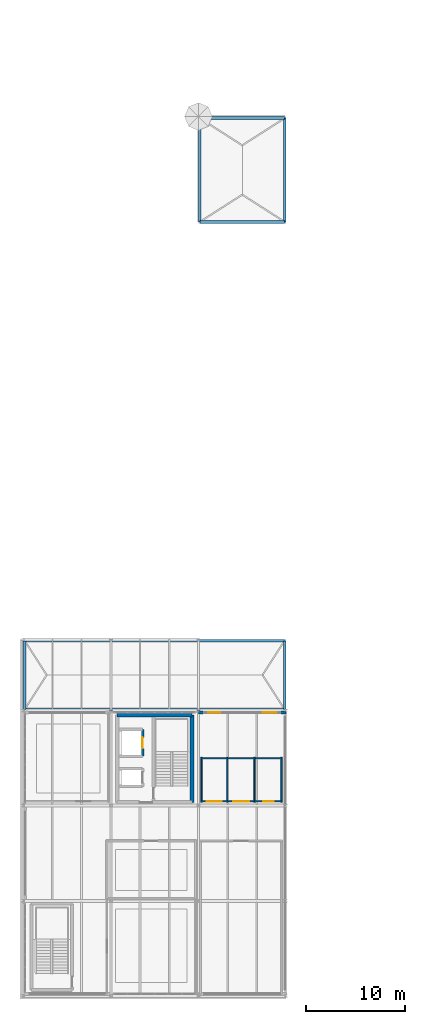
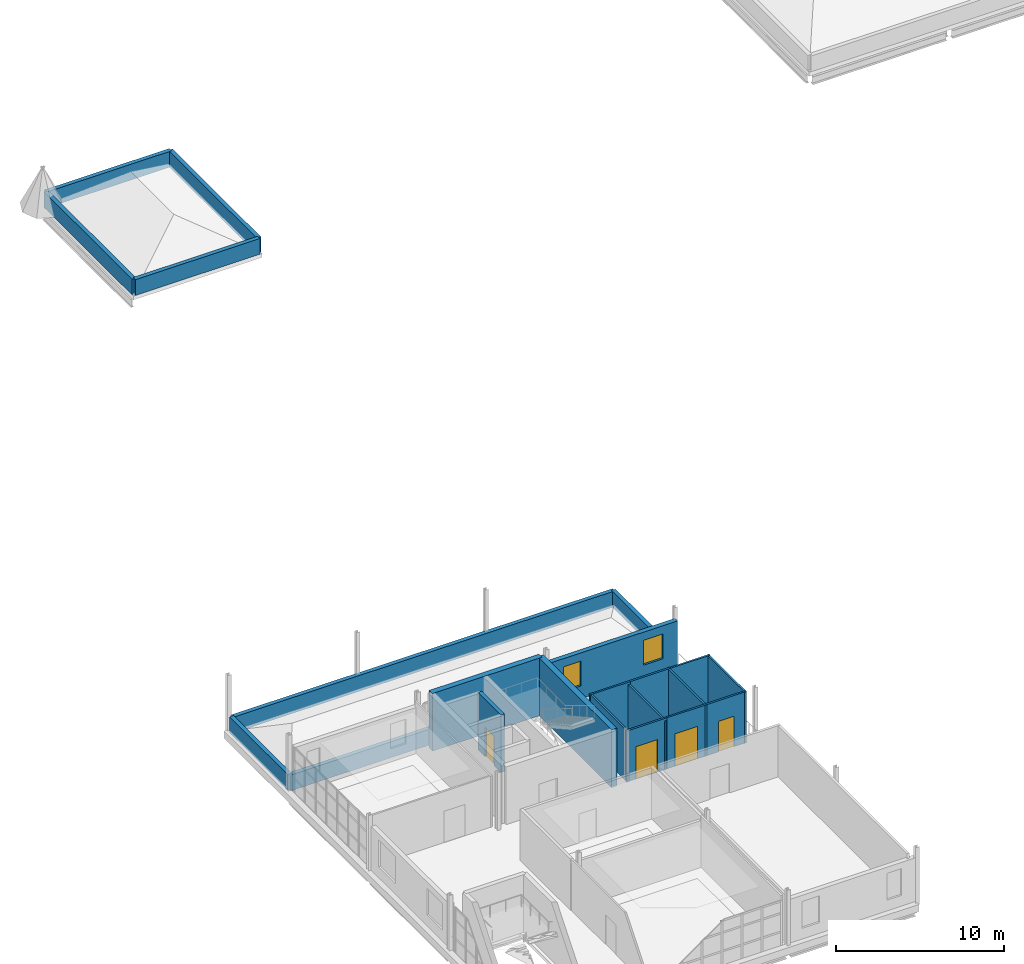
# One storey, part 22 of 28: 22 walls, 4 doors, 2 windows, 6 openings.
"""IFC4 building model written with IfcOpenShell, lengths in metres."""

from ifc_helpers import new_model, si_unit, direction, frame, frame_2d, origin, place, context, subcontext, project, spatial, rectangle, extrude, material, layer, layer_set, type_object, element, fill, save


model = new_model("IFC4")

# Units and contexts
model_context = context("Model", 3, precision=1e-05, world=origin(), true_north=direction((0.0, 1.0)))
body_context = subcontext(model_context, "Body", "Model", "MODEL_VIEW")
ifc_project = project(units=[si_unit("LENGTHUNIT", "METRE"), si_unit("AREAUNIT", "SQUARE_METRE"), si_unit("VOLUMEUNIT", "CUBIC_METRE"), si_unit("PLANEANGLEUNIT", "RADIAN"), si_unit("MASSUNIT", "GRAM", prefix="KILO")], contexts=[model_context])

# Site, building, storey
site_placement = place(None, origin())
site = spatial("IfcSite", under=ifc_project, at=site_placement, CompositionType="ELEMENT")
building_placement = place(site_placement, origin())
building = spatial("IfcBuilding", under=site, at=building_placement, Name="Yeouljin Market Hall", CompositionType="ELEMENT")
storey_placement = place(building_placement, frame((0.0, 0.0, 15.0)))
storey = spatial("IfcBuildingStorey", under=building, at=storey_placement, Name="L03", CompositionType="ELEMENT", Elevation=15.0)

# Wall, opening, door
ifc_material_1 = material(Name="Moisture-Resistant Gypsum Partition")
ifc_layer_1 = layer(ifc_material_1, 0.1298828125)
ifc_layer_set_1 = layer_set([ifc_layer_1], Name="Moisture-Resistant Gypsum Partition")
wall_type_1 = type_object("IfcWallType", Name="Part_Sanitary_130", PredefinedType="PARTITIONING", material=ifc_layer_set_1)
wall_1_placement = place(storey_placement, frame((17.919921875, 19.64990234375, 0.0), z_axis=(0.0, 0.0, 1.0), x_axis=(1.0, 0.0, 0.0)))
wall_1 = element("IfcWall", 1, at=wall_1_placement, inside=storey, type_object=wall_type_1, Name="Interior partition PART-L03-0142", PredefinedType="PARTITIONING", context=body_context, shape_type="SweptSolid", body=[
    extrude(rectangle(XDim=2.760009765625, YDim=0.1298828125, at=frame_2d((1.3798828125, 0.0))), origin(), (0.0, 0.0, 1.0), 3.719970703125),
])
opening_1_placement = place(wall_1_placement, frame((0.639892578125, 0.0, 0.0)))
opening_1 = element("IfcOpeningElement", 2, at=opening_1_placement, cuts=wall_1, Name="Opening D-L03-044", PredefinedType="OPENING", context=body_context, shape_type="SweptSolid", body=[
    extrude(rectangle(XDim=1.47998046875, YDim=2.360107421875, at=frame_2d((0.739990234375, 1.18017578125))), frame((0.0, 0.074951171875, 0.0), z_axis=(0.0, -1.0, 0.0), x_axis=(1.0, 0.0, 0.0)), (0.0, 0.0, 1.0), 0.14990234375),
])
ifc_material_2 = material(Name="Acoustic Timber Veneer", Category="wood")
door_type_1 = type_object("IfcDoorType", Name="DT-ID148T", OperationType="NOTDEFINED", PredefinedType="DOOR", material=ifc_material_2)
door_1_placement = place(opening_1_placement, origin())
door_1 = element("IfcDoor", 3, at=door_1_placement, inside=storey, type_object=door_type_1, Name="Interior door D-L03-044 (Male WC)", OperationType="SINGLE_SWING_RIGHT", OverallHeight=2.360107421875, OverallWidth=1.47998046875, PredefinedType="DOOR", context=body_context, shape_type="SweptSolid", body=[
    extrude(rectangle(XDim=1.47998046875, YDim=2.360107421875, at=frame_2d((0.739990234375, 1.18017578125))), frame((0.0, 0.02490234375, 0.0), z_axis=(0.0, -1.0, 0.0), x_axis=(1.0, 0.0, 0.0)), (0.0, 0.0, 1.0), 0.050048828125),
])
fill(opening_1, door_1)

# Walls
wall_2_placement = place(storey_placement, frame((20.60009765625, 19.570068359375, 0.0), z_axis=(0.0, 0.0, 1.0), x_axis=(0.0, 1.0, 0.0)))
element("IfcWall", 4, at=wall_2_placement, inside=storey, type_object=wall_type_1, Name="Interior partition PART-L03-0143", PredefinedType="PARTITIONING", context=body_context, shape_type="SweptSolid", body=[
    extrude(rectangle(XDim=4.510009765625, YDim=0.1298828125, at=frame_2d((2.2548828125, 0.0))), origin(), (0.0, 0.0, 1.0), 3.550048828125),
])
wall_3_placement = place(storey_placement, frame((18.0, 24.080078125, 0.0), z_axis=(0.0, 0.0, 1.0), x_axis=(0.0, -1.0, 0.0)))
element("IfcWall", 5, at=wall_3_placement, inside=storey, type_object=wall_type_1, Name="Interior partition PART-L03-0144", PredefinedType="PARTITIONING", context=body_context, shape_type="SweptSolid", body=[
    extrude(rectangle(XDim=4.510009765625, YDim=0.1298828125, at=frame_2d((2.2548828125, 0.0))), origin(), (0.0, 0.0, 1.0), 3.719970703125),
])
wall_4_placement = place(storey_placement, frame((20.679931640625, 24.0, 0.0), z_axis=(0.0, 0.0, 1.0), x_axis=(-1.0, 0.0, 0.0)))
element("IfcWall", 6, at=wall_4_placement, inside=storey, type_object=wall_type_1, Name="Interior partition PART-L03-0145", PredefinedType="PARTITIONING", context=body_context, shape_type="SweptSolid", body=[
    extrude(rectangle(XDim=2.760009765625, YDim=0.1298828125, at=frame_2d((1.3798828125, 0.0))), origin(), (0.0, 0.0, 1.0), 3.719970703125),
])

# Wall, opening, door
wall_5_placement = place(storey_placement, frame((20.60009765625, 19.64990234375, 0.0), z_axis=(0.0, 0.0, 1.0), x_axis=(1.0, 0.0, 0.0)))
wall_5 = element("IfcWall", 7, at=wall_5_placement, inside=storey, type_object=wall_type_1, Name="Interior partition PART-L03-0146", PredefinedType="PARTITIONING", context=body_context, shape_type="SweptSolid", body=[
    extrude(rectangle(XDim=2.83984375, YDim=0.1298828125, at=frame_2d((1.419921875, 0.0))), origin(), (0.0, 0.0, 1.0), 3.719970703125),
])
opening_2_placement = place(wall_5_placement, frame((0.6298828125, 0.0, 0.0)))
opening_2 = element("IfcOpeningElement", 8, at=opening_2_placement, cuts=wall_5, Name="Opening D-L03-045", PredefinedType="OPENING", context=body_context, shape_type="SweptSolid", body=[
    extrude(rectangle(XDim=1.580078125, YDim=2.360107421875, at=frame_2d((0.7900390625, 1.18017578125))), frame((0.0, 0.074951171875, 0.0), z_axis=(0.0, -1.0, 0.0), x_axis=(1.0, 0.0, 0.0)), (0.0, 0.0, 1.0), 0.14990234375),
])
ifc_material_3 = material(Name="Acoustic Timber Veneer", Category="wood")
door_type_2 = type_object("IfcDoorType", Name="DT-ID158T", OperationType="NOTDEFINED", PredefinedType="DOOR", material=ifc_material_3)
door_2_placement = place(opening_2_placement, origin())
door_2 = element("IfcDoor", 9, at=door_2_placement, inside=storey, type_object=door_type_2, Name="Interior door D-L03-045 (Female WC)", OperationType="SINGLE_SWING_LEFT", OverallHeight=2.360107421875, OverallWidth=1.580078125, PredefinedType="DOOR", context=body_context, shape_type="SweptSolid", body=[
    extrude(rectangle(XDim=1.580078125, YDim=2.360107421875, at=frame_2d((0.7900390625, 1.18017578125))), frame((0.0, 0.02490234375, 0.0), z_axis=(0.0, -1.0, 0.0), x_axis=(1.0, 0.0, 0.0)), (0.0, 0.0, 1.0), 0.050048828125),
])
fill(opening_2, door_2)

# Walls
wall_6_placement = place(storey_placement, frame((23.360107421875, 19.570068359375, 0.0), z_axis=(0.0, 0.0, 1.0), x_axis=(0.0, 1.0, 0.0)))
element("IfcWall", 10, at=wall_6_placement, inside=storey, type_object=wall_type_1, Name="Interior partition PART-L03-0147", PredefinedType="PARTITIONING", context=body_context, shape_type="SweptSolid", body=[
    extrude(rectangle(XDim=4.510009765625, YDim=0.1298828125, at=frame_2d((2.2548828125, 0.0))), origin(), (0.0, 0.0, 1.0), 3.719970703125),
])
wall_7_placement = place(storey_placement, frame((23.43994140625, 24.0, 0.0), z_axis=(0.0, 0.0, 1.0), x_axis=(-1.0, 0.0, 0.0)))
element("IfcWall", 11, at=wall_7_placement, inside=storey, type_object=wall_type_1, Name="Interior partition PART-L03-0148", PredefinedType="PARTITIONING", context=body_context, shape_type="SweptSolid", body=[
    extrude(rectangle(XDim=2.83984375, YDim=0.1298828125, at=frame_2d((1.419921875, 0.0))), origin(), (0.0, 0.0, 1.0), 3.719970703125),
])

# Wall, opening, door
wall_8_placement = place(storey_placement, frame((23.360107421875, 19.64990234375, 0.0), z_axis=(0.0, 0.0, 1.0), x_axis=(1.0, 0.0, 0.0)))
wall_8 = element("IfcWall", 12, at=wall_8_placement, inside=storey, type_object=wall_type_1, Name="Interior partition PART-L03-0149", PredefinedType="PARTITIONING", context=body_context, shape_type="SweptSolid", body=[
    extrude(rectangle(XDim=2.81982421875, YDim=0.1298828125, at=frame_2d((1.409912109375, 0.0))), origin(), (0.0, 0.0, 1.0), 3.719970703125),
])
opening_3_placement = place(wall_8_placement, frame((0.8701171875, 0.0, 0.0)))
opening_3 = element("IfcOpeningElement", 13, at=opening_3_placement, cuts=wall_8, Name="Opening D-L03-046", PredefinedType="OPENING", context=body_context, shape_type="SweptSolid", body=[
    extrude(rectangle(XDim=1.080078125, YDim=2.219970703125, at=frame_2d((0.5400390625, 1.10986328125))), frame((0.0, 0.074951171875, 0.0), z_axis=(0.0, -1.0, 0.0), x_axis=(1.0, 0.0, 0.0)), (0.0, 0.0, 1.0), 0.14990234375),
])
ifc_material_4 = material(Name="Acoustic Timber Veneer", Category="wood")
door_type_3 = type_object("IfcDoorType", Name="DT-ID108H", OperationType="NOTDEFINED", PredefinedType="DOOR", material=ifc_material_4)
door_3_placement = place(opening_3_placement, origin())
door_3 = element("IfcDoor", 14, at=door_3_placement, inside=storey, type_object=door_type_3, Name="Interior door D-L03-046 (Accessible WC)", OperationType="SINGLE_SWING_RIGHT", OverallHeight=2.219970703125, OverallWidth=1.080078125, PredefinedType="DOOR", context=body_context, shape_type="SweptSolid", body=[
    extrude(rectangle(XDim=1.080078125, YDim=2.219970703125, at=frame_2d((0.5400390625, 1.10986328125))), frame((0.0, 0.02490234375, 0.0), z_axis=(0.0, -1.0, 0.0), x_axis=(1.0, 0.0, 0.0)), (0.0, 0.0, 1.0), 0.050048828125),
])
fill(opening_3, door_3)

# Walls
wall_9_placement = place(storey_placement, frame((26.10009765625, 19.570068359375, 0.0), z_axis=(0.0, 0.0, 1.0), x_axis=(0.0, 1.0, 0.0)))
element("IfcWall", 15, at=wall_9_placement, inside=storey, type_object=wall_type_1, Name="Interior partition PART-L03-0150", PredefinedType="PARTITIONING", context=body_context, shape_type="SweptSolid", body=[
    extrude(rectangle(XDim=4.510009765625, YDim=0.1298828125, at=frame_2d((2.2548828125, 0.0))), origin(), (0.0, 0.0, 1.0), 3.719970703125),
])
wall_10_placement = place(storey_placement, frame((26.179931640625, 24.0, 0.0), z_axis=(0.0, 0.0, 1.0), x_axis=(-1.0, 0.0, 0.0)))
element("IfcWall", 16, at=wall_10_placement, inside=storey, type_object=wall_type_1, Name="Interior partition PART-L03-0151", PredefinedType="PARTITIONING", context=body_context, shape_type="SweptSolid", body=[
    extrude(rectangle(XDim=2.81982421875, YDim=0.1298828125, at=frame_2d((1.409912109375, 0.0))), origin(), (0.0, 0.0, 1.0), 3.719970703125),
])

# Wall, opening, door
ifc_material_5 = material(Name="Concrete C35/45", Category="concrete")
ifc_layer_2 = layer(ifc_material_5, 0.260009765625)
ifc_layer_set_2 = layer_set([ifc_layer_2], Name="Concrete C35/45")
wall_type_2 = type_object("IfcWallType", Name="Wall_Compartment_260", PredefinedType="SHEAR", material=ifc_layer_set_2)
wall_11_placement = place(storey_placement, frame((12.054931640625, 24.199951171875, 0.0), z_axis=(0.0, 0.0, 1.0), x_axis=(0.0, 1.0, 0.0)))
wall_11 = element("IfcWall", 17, at=wall_11_placement, inside=storey, type_object=wall_type_2, Name="Lift LS-01 hoistway front wall (L03)", PredefinedType="SHEAR", context=body_context, shape_type="SweptSolid", body=[
    extrude(rectangle(XDim=2.699951171875, YDim=0.260009765625, at=frame_2d((1.35009765625, 0.0))), origin(), (0.0, 0.0, 1.0), 4.199951171875),
])
opening_4_placement = place(wall_11_placement, frame((0.800048828125, 0.0, 0.0)))
opening_4 = element("IfcOpeningElement", 18, at=opening_4_placement, cuts=wall_11, Name="Opening LD-LS-01-L03", PredefinedType="OPENING", context=body_context, shape_type="SweptSolid", body=[
    extrude(rectangle(XDim=1.10009765625, YDim=2.14990234375, at=frame_2d((0.550048828125, 1.074951171875))), frame((0.0, 0.139892578125, 0.0), z_axis=(0.0, -1.0, 0.0), x_axis=(1.0, 0.0, 0.0)), (0.0, 0.0, 1.0), 0.280029296875),
])
ifc_material_6 = material(Name="Brushed Stainless Steel", Category="steel")
door_type_4 = type_object("IfcDoorType", Name="LD-110", OperationType="SLIDING_TO_LEFT", PredefinedType="DOOR", material=ifc_material_6)
door_4_placement = place(opening_4_placement, origin())
door_4 = element("IfcDoor", 19, at=door_4_placement, inside=storey, type_object=door_type_4, Name="Lift landing sliding door LD-LS-01-L03", OperationType="SLIDING_TO_LEFT", OverallHeight=2.14990234375, OverallWidth=1.10009765625, PredefinedType="DOOR", context=body_context, shape_type="SweptSolid", body=[
    extrude(rectangle(XDim=1.10009765625, YDim=2.14990234375, at=frame_2d((0.550048828125, 1.074951171875))), frame((0.0, 0.02490234375, 0.0), z_axis=(0.0, -1.0, 0.0), x_axis=(1.0, 0.0, 0.0)), (0.0, 0.0, 1.0), 0.050048828125),
])
fill(opening_4, door_4)

# Walls
ifc_material_7 = material(Name="Concrete C35/45", Category="concrete")
ifc_layer_3 = layer(ifc_material_7, 0.3798828125)
ifc_layer_set_3 = layer_set([ifc_layer_3], Name="Concrete C35/45")
wall_type_3 = type_object("IfcWallType", Name="Wall_CoreShear_380", PredefinedType="SHEAR", material=ifc_layer_set_3)
wall_12_placement = place(storey_placement, frame((17.050048828125, 28.35009765625, 0.0), z_axis=(0.0, 0.0, 1.0), x_axis=(-1.0, 0.0, 0.0)))
element("IfcWall", 20, at=wall_12_placement, inside=storey, type_object=wall_type_3, Name="Core C1 north shear wall (L03)", PredefinedType="SHEAR", context=body_context, shape_type="SweptSolid", body=[
    extrude(rectangle(XDim=7.550048828125, YDim=0.3798828125, at=frame_2d((3.77490234375, 0.0))), origin(), (0.0, 0.0, 1.0), 4.199951171875),
])
wall_13_placement = place(storey_placement, frame((17.050048828125, 19.550048828125, 0.0), z_axis=(0.0, 0.0, 1.0), x_axis=(0.0, 1.0, 0.0)))
element("IfcWall", 21, at=wall_13_placement, inside=storey, type_object=wall_type_3, Name="Core C1 east shear wall (L03)", PredefinedType="SHEAR", context=body_context, shape_type="SweptSolid", body=[
    extrude(rectangle(XDim=8.800048828125, YDim=0.3798828125, at=frame_2d((4.39990234375, 0.0))), origin(), (0.0, 0.0, 1.0), 4.199951171875),
])

# Wall, openings, windows
ifc_material_8 = material(Name="Clinker Brick Masonry F2-S2", Category="masonry")
ifc_layer_4 = layer(ifc_material_8, 0.31005859375)
ifc_layer_set_4 = layer_set([ifc_layer_4], Name="Clinker Brick Masonry F2-S2")
wall_type_4 = type_object("IfcWallType", Name="Wall_Ext_ClinkerSawtooth_310", PredefinedType="SOLIDWALL", material=ifc_layer_set_4)
wall_14_placement = place(storey_placement, frame((17.7119140625, 28.60009765625, 0.0), z_axis=(0.0, 0.0, 1.0), x_axis=(1.0, 0.0, 0.0)))
wall_14 = element("IfcWall", 22, at=wall_14_placement, inside=storey, type_object=wall_type_4, Name="Exterior wall WE-L03-B09", PredefinedType="SOLIDWALL", context=body_context, shape_type="SweptSolid", body=[
    extrude(rectangle(XDim=8.826171875, YDim=0.31005859375, at=frame_2d((4.4130859375, 0.0))), origin(), (0.0, 0.0, 1.0), 3.35009765625),
])
opening_5_placement = place(wall_14_placement, frame((0.988037109375, 0.0, 0.949951171875)))
opening_5 = element("IfcOpeningElement", 23, at=opening_5_placement, cuts=wall_14, Name="Opening WN-03", PredefinedType="OPENING", context=body_context, shape_type="SweptSolid", body=[
    extrude(rectangle(XDim=1.199951171875, YDim=1.800048828125, at=frame_2d((0.60009765625, 0.89990234375))), frame((0.0, 0.1650390625, 0.0), z_axis=(0.0, -1.0, 0.0), x_axis=(1.0, 0.0, 0.0)), (0.0, 0.0, 1.0), 0.330078125),
])
opening_6_placement = place(wall_14_placement, frame((6.488037109375, 0.0, 0.949951171875)))
opening_6 = element("IfcOpeningElement", 24, at=opening_6_placement, cuts=wall_14, Name="Opening WN-04", PredefinedType="OPENING", context=body_context, shape_type="SweptSolid", body=[
    extrude(rectangle(XDim=1.35009765625, YDim=1.800048828125, at=frame_2d((0.675048828125, 0.89990234375))), frame((0.0, 0.1650390625, 0.0), z_axis=(0.0, -1.0, 0.0), x_axis=(1.0, 0.0, 0.0)), (0.0, 0.0, 1.0), 0.330078125),
])
ifc_material_9 = material(Name="Low-E Insulated Glass", Category="glass")
window_type_1 = type_object("IfcWindowType", Name="Win_Ladder_1200x1800", PartitioningType="DOUBLE_PANEL_HORIZONTAL", PredefinedType="WINDOW", material=ifc_material_9)
window_1_placement = place(opening_5_placement, origin())
window_1 = element("IfcWindow", 25, at=window_1_placement, inside=storey, type_object=window_type_1, Name="Exterior window WIN-L03-B09A", OverallHeight=1.800048828125, OverallWidth=1.199951171875, PartitioningType="SINGLE_PANEL", PredefinedType="WINDOW", context=body_context, shape_type="SweptSolid", body=[
    extrude(rectangle(XDim=1.199951171875, YDim=1.800048828125, at=frame_2d((0.60009765625, 0.89990234375))), frame((0.0, 0.030029296875, 0.0), z_axis=(0.0, -1.0, 0.0), x_axis=(1.0, 0.0, 0.0)), (0.0, 0.0, 1.0), 0.06005859375),
])
fill(opening_5, window_1)
ifc_material_10 = material(Name="Low-E Insulated Glass", Category="glass")
window_type_2 = type_object("IfcWindowType", Name="Win_Ladder_1350x1800", PartitioningType="DOUBLE_PANEL_HORIZONTAL", PredefinedType="WINDOW", material=ifc_material_10)
window_2_placement = place(opening_6_placement, origin())
window_2 = element("IfcWindow", 26, at=window_2_placement, inside=storey, type_object=window_type_2, Name="Exterior window WIN-L03-B09B", OverallHeight=1.800048828125, OverallWidth=1.35009765625, PartitioningType="SINGLE_PANEL", PredefinedType="WINDOW", context=body_context, shape_type="SweptSolid", body=[
    extrude(rectangle(XDim=1.35009765625, YDim=1.800048828125, at=frame_2d((0.675048828125, 0.89990234375))), frame((0.0, 0.030029296875, 0.0), z_axis=(0.0, -1.0, 0.0), x_axis=(1.0, 0.0, 0.0)), (0.0, 0.0, 1.0), 0.06005859375),
])
fill(opening_6, window_2)

# Walls
ifc_material_11 = material(Name="Clinker Brick Masonry F2-S2", Category="masonry")
ifc_layer_5 = layer(ifc_material_11, 0.280029296875)
ifc_layer_set_5 = layer_set([ifc_layer_5], Name="Clinker Brick Masonry F2-S2")
wall_type_5 = type_object("IfcWallType", Name="Wall_Parapet_Clinker_280", PredefinedType="PARAPET", material=ifc_layer_set_5)
wall_15_placement = place(storey_placement, frame((17.840087890625, 78.139892578125, 0.010009765625), z_axis=(0.0, 0.0, 1.0), x_axis=(1.0, 0.0, 0.0)))
element("IfcWall", 27, at=wall_15_placement, inside=storey, type_object=wall_type_5, Name="Roof parapet RSLB-V2-L02N-1", PredefinedType="PARAPET", context=body_context, shape_type="SweptSolid", body=[
    extrude(rectangle(XDim=8.56982421875, YDim=0.280029296875, at=frame_2d((4.284912109375, 0.0))), origin(), (0.0, 0.0, 1.0), 1.14990234375),
])
wall_16_placement = place(storey_placement, frame((26.409912109375, 78.139892578125, 0.010009765625), z_axis=(0.0, 0.0, 1.0), x_axis=(0.0, 1.0, 0.0)))
element("IfcWall", 28, at=wall_16_placement, inside=storey, type_object=wall_type_5, Name="Roof parapet RSLB-V2-L02N-2", PredefinedType="PARAPET", context=body_context, shape_type="SweptSolid", body=[
    extrude(rectangle(XDim=10.52001953125, YDim=0.280029296875, at=frame_2d((5.260009765625, 0.0))), origin(), (0.0, 0.0, 1.0), 1.14990234375),
])
wall_17_placement = place(storey_placement, frame((26.409912109375, 88.659912109375, 0.010009765625), z_axis=(0.0, 0.0, 1.0), x_axis=(-1.0, 0.0, 0.0)))
element("IfcWall", 29, at=wall_17_placement, inside=storey, type_object=wall_type_5, Name="Roof parapet RSLB-V2-L02N-3", PredefinedType="PARAPET", context=body_context, shape_type="SweptSolid", body=[
    extrude(rectangle(XDim=8.56982421875, YDim=0.280029296875, at=frame_2d((4.284912109375, 0.0))), origin(), (0.0, 0.0, 1.0), 1.14990234375),
])
wall_18_placement = place(storey_placement, frame((17.840087890625, 88.659912109375, 0.010009765625), z_axis=(0.0, 0.0, 1.0), x_axis=(0.0, -1.0, 0.0)))
element("IfcWall", 30, at=wall_18_placement, inside=storey, type_object=wall_type_5, Name="Roof parapet RSLB-V2-L02N-4", PredefinedType="PARAPET", context=body_context, shape_type="SweptSolid", body=[
    extrude(rectangle(XDim=10.52001953125, YDim=0.280029296875, at=frame_2d((5.260009765625, 0.0))), origin(), (0.0, 0.0, 1.0), 1.14990234375),
])
wall_19_placement = place(storey_placement, frame((0.139892578125, 28.93994140625, 0.010009765625), z_axis=(0.0, 0.0, 1.0), x_axis=(1.0, 0.0, 0.0)))
element("IfcWall", 31, at=wall_19_placement, inside=storey, type_object=wall_type_5, Name="Roof parapet RSLB-V2-L03N-1", PredefinedType="PARAPET", context=body_context, shape_type="SweptSolid", body=[
    extrude(rectangle(XDim=26.27001953125, YDim=0.280029296875, at=frame_2d((13.135009765625, 0.0))), origin(), (0.0, 0.0, 1.0), 1.14990234375),
])
wall_20_placement = place(storey_placement, frame((26.409912109375, 28.93994140625, 0.010009765625), z_axis=(0.0, 0.0, 1.0), x_axis=(0.0, 1.0, 0.0)))
element("IfcWall", 32, at=wall_20_placement, inside=storey, type_object=wall_type_5, Name="Roof parapet RSLB-V2-L03N-2", PredefinedType="PARAPET", context=body_context, shape_type="SweptSolid", body=[
    extrude(rectangle(XDim=6.920166015625, YDim=0.280029296875, at=frame_2d((3.4599609375, 0.0))), origin(), (0.0, 0.0, 1.0), 1.14990234375),
])
wall_21_placement = place(storey_placement, frame((26.409912109375, 35.860107421875, 0.010009765625), z_axis=(0.0, 0.0, 1.0), x_axis=(-1.0, 0.0, 0.0)))
element("IfcWall", 33, at=wall_21_placement, inside=storey, type_object=wall_type_5, Name="Roof parapet RSLB-V2-L03N-3", PredefinedType="PARAPET", context=body_context, shape_type="SweptSolid", body=[
    extrude(rectangle(XDim=26.27001953125, YDim=0.280029296875, at=frame_2d((13.135009765625, 0.0))), origin(), (0.0, 0.0, 1.0), 1.14990234375),
])
wall_22_placement = place(storey_placement, frame((0.139892578125, 35.860107421875, 0.010009765625), z_axis=(0.0, 0.0, 1.0), x_axis=(0.0, -1.0, 0.0)))
element("IfcWall", 34, at=wall_22_placement, inside=storey, type_object=wall_type_5, Name="Roof parapet RSLB-V2-L03N-4", PredefinedType="PARAPET", context=body_context, shape_type="SweptSolid", body=[
    extrude(rectangle(XDim=6.920166015625, YDim=0.280029296875, at=frame_2d((3.4599609375, 0.0))), origin(), (0.0, 0.0, 1.0), 1.14990234375),
])

save(model, "model.ifc")
